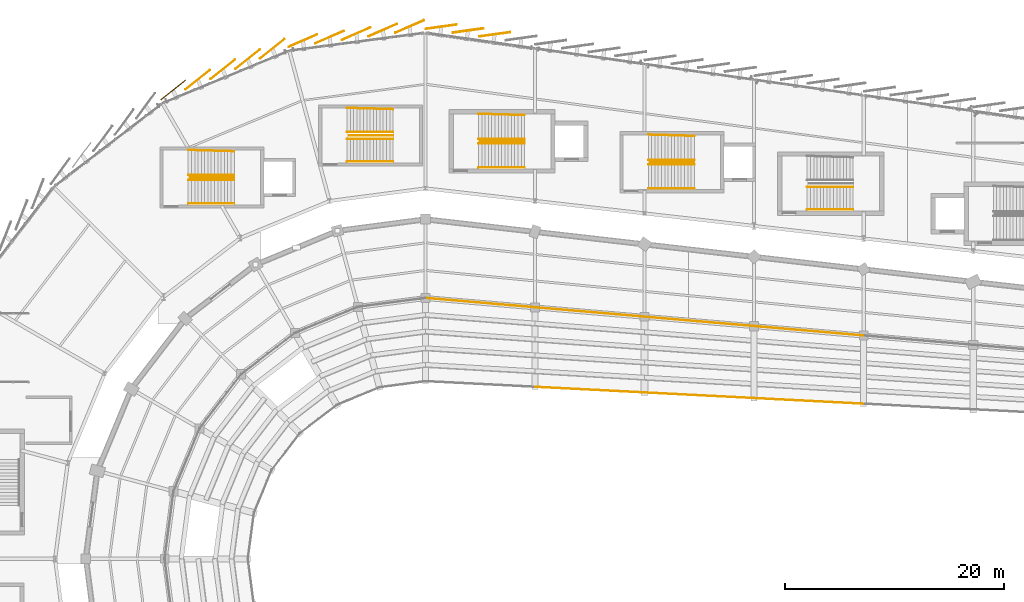
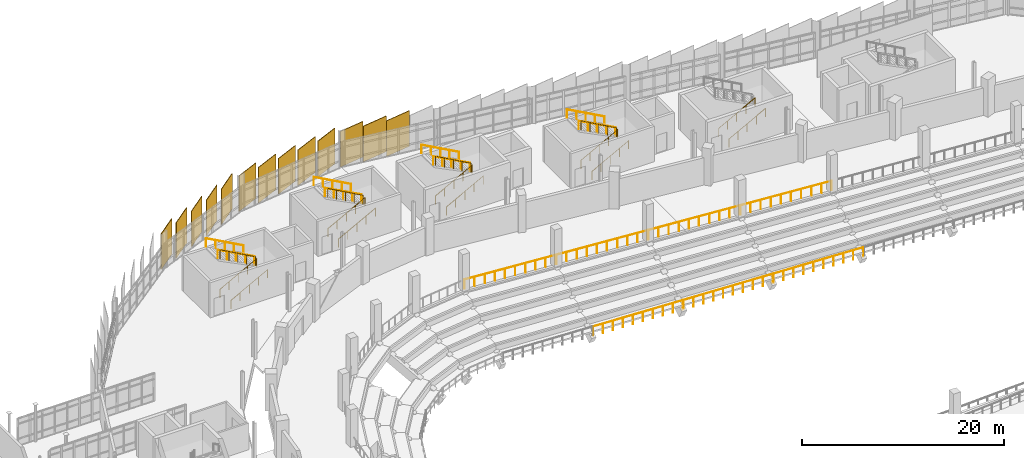
# One storey, part 128 of 134: 29 railings, 13 coverings.
"""IFC4 building model written with IfcOpenShell, lengths in metres."""

from ifc_helpers import new_model, si_unit, direction, frame, origin, origin_2d, place, context, subcontext, project, spatial, rectangle, circle, extrude, material, layer, layer_set, type_object, element, save


model = new_model("IFC4")

# Units and contexts
model_context = context("Model", 3, precision=1e-05, world=origin(), true_north=direction((0.0, 1.0)))
body_context = subcontext(model_context, "Body", "Model", "MODEL_VIEW")
ifc_project = project(units=[si_unit("LENGTHUNIT", "METRE"), si_unit("AREAUNIT", "SQUARE_METRE"), si_unit("VOLUMEUNIT", "CUBIC_METRE"), si_unit("PLANEANGLEUNIT", "RADIAN"), si_unit("MASSUNIT", "GRAM", prefix="KILO")], contexts=[model_context])

# Site, building, storey
site_placement = place(None, origin())
site = spatial("IfcSite", under=ifc_project, at=site_placement, CompositionType="ELEMENT")
building_placement = place(site_placement, origin())
building = spatial("IfcBuilding", under=site, at=building_placement, Name="Sohan Crest Arena", CompositionType="ELEMENT")
storey_placement = place(building_placement, frame((0.0, 0.0, 4.5)))
storey = spatial("IfcBuildingStorey", under=building, at=storey_placement, Name="L01", CompositionType="ELEMENT", Elevation=4.5)

# Railings
ifc_material_1 = material(Name="Powder-coated wrought steel balustrade", Category="steel")
railing_type_1 = type_object("IfcRailingType", Name="ARC-GRD-01", PredefinedType="GUARDRAIL", material=ifc_material_1)
for number, where, name in (
    (1, (80.530029296875, 112.800048828125, 2.25), "Stair well slot guard GRD-024"),
    (2, (107.030029296875, 116.10009765625, 2.25), "Stair well slot guard GRD-036"),
    (3, (122.530029296875, 114.199951171875, 2.25), "Stair well slot guard GRD-047"),
    (4, (95.030029296875, 116.639892578125, 2.25), "Stair well slot guard GRD-107"),
):
    element("IfcRailing", number, at=place(storey_placement, frame(where)), inside=storey, type_object=railing_type_1, Name=name, PredefinedType="GUARDRAIL", context=body_context, shape_type="SweptSolid", body=[
        extrude(circle(Radius=0.02392578125, at=origin_2d()), frame((0.0, 0.0, 1.076171875), z_axis=(-0.87313487534, 0.0, 0.487478706678), x_axis=(0.0, -1.0, 0.0)), (0.0, 0.0, 1.0), 4.615478515625),
        extrude(circle(Radius=0.02099609375, at=origin_2d()), origin(), (0.0, 0.0, 1.0), 1.052001953125),
        extrude(circle(Radius=0.02099609375, at=origin_2d()), frame((-1.007568359375, 0.0, 0.5625)), (0.0, 0.0, 1.0), 1.052001953125),
        extrude(circle(Radius=0.02099609375, at=origin_2d()), frame((-2.01513671875, 0.0, 1.125)), (0.0, 0.0, 1.0), 1.052001953125),
        extrude(circle(Radius=0.02099609375, at=origin_2d()), frame((-3.0224609375, 0.0, 1.6875)), (0.0, 0.0, 1.0), 1.052001953125),
        extrude(circle(Radius=0.02099609375, at=origin_2d()), frame((-4.030029296875, 0.0, 2.25)), (0.0, 0.0, 1.0), 1.052001953125),
    ])
ifc_material_2 = material(Name="Laminated glass and steel sightline guard", Category="steel")
railing_type_2 = type_object("IfcRailingType", Name="ARC-GRD-02", PredefinedType="GUARDRAIL", material=ifc_material_2)
for number, where, name in (
    (5, (137.9599609375, 92.14501953125, -4.25), "Courtside bowl crowd barrier GRD-153"),
    (6, (127.9599609375, 92.658935546875, -4.25), "Courtside bowl crowd barrier GRD-154"),
):
    element("IfcRailing", number, at=place(storey_placement, frame(where)), inside=storey, type_object=railing_type_2, Name=name, PredefinedType="GUARDRAIL", context=body_context, shape_type="SweptSolid", body=[
        extrude(circle(Radius=0.02392578125, at=origin_2d()), frame((0.0, 0.0, 1.1259765625), z_axis=(-0.998680982493, 0.051344865437, 0.0), x_axis=(-0.051344865437, -0.998680982493, 0.0)), (0.0, 0.0, 1.0), 9.93310546875),
        extrude(circle(Radius=0.02099609375, at=origin_2d()), origin(), (0.0, 0.0, 1.0), 1.101806640625),
        extrude(circle(Radius=0.02099609375, at=origin_2d()), frame((-1.102294921875, 0.056640625, 0.0)), (0.0, 0.0, 1.0), 1.101806640625),
        extrude(circle(Radius=0.02099609375, at=origin_2d()), frame((-2.204345703125, 0.11328125, 0.0)), (0.0, 0.0, 1.0), 1.101806640625),
        extrude(circle(Radius=0.02099609375, at=origin_2d()), frame((-3.306640625, 0.169921875, 0.0)), (0.0, 0.0, 1.0), 1.101806640625),
        extrude(circle(Radius=0.02099609375, at=origin_2d()), frame((-4.408935546875, 0.2265625, 0.0)), (0.0, 0.0, 1.0), 1.101806640625),
        extrude(circle(Radius=0.02099609375, at=origin_2d()), frame((-5.510986328125, 0.283447265625, 0.0)), (0.0, 0.0, 1.0), 1.101806640625),
        extrude(circle(Radius=0.02099609375, at=origin_2d()), frame((-6.61328125, 0.340087890625, 0.0)), (0.0, 0.0, 1.0), 1.101806640625),
        extrude(circle(Radius=0.02099609375, at=origin_2d()), frame((-7.715576171875, 0.396728515625, 0.0)), (0.0, 0.0, 1.0), 1.101806640625),
        extrude(circle(Radius=0.02099609375, at=origin_2d()), frame((-8.817626953125, 0.453369140625, 0.0)), (0.0, 0.0, 1.0), 1.101806640625),
        extrude(circle(Radius=0.02099609375, at=origin_2d()), frame((-9.919921875, 0.510009765625, 0.0)), (0.0, 0.0, 1.0), 1.101806640625),
    ])
railing_1_placement = place(storey_placement, frame((117.9599609375, 93.173095703125, -4.25)))
element("IfcRailing", 7, at=railing_1_placement, inside=storey, type_object=railing_type_2, Name="Courtside bowl crowd barrier GRD-155", PredefinedType="GUARDRAIL", context=body_context, shape_type="SweptSolid", body=[
    extrude(circle(Radius=0.02392578125, at=origin_2d()), frame((0.0, 0.0, 1.1259765625), z_axis=(-0.998675936407, 0.051442920233, 0.0), x_axis=(-0.051442920233, -0.998675936407, 0.0)), (0.0, 0.0, 1.0), 9.93310546875),
    extrude(circle(Radius=0.02099609375, at=origin_2d()), origin(), (0.0, 0.0, 1.0), 1.101806640625),
    extrude(circle(Radius=0.02099609375, at=origin_2d()), frame((-1.102294921875, 0.056884765625, 0.0)), (0.0, 0.0, 1.0), 1.101806640625),
    extrude(circle(Radius=0.02099609375, at=origin_2d()), frame((-2.204345703125, 0.113525390625, 0.0)), (0.0, 0.0, 1.0), 1.101806640625),
    extrude(circle(Radius=0.02099609375, at=origin_2d()), frame((-3.306640625, 0.17041015625, 0.0)), (0.0, 0.0, 1.0), 1.101806640625),
    extrude(circle(Radius=0.02099609375, at=origin_2d()), frame((-4.408935546875, 0.22705078125, 0.0)), (0.0, 0.0, 1.0), 1.101806640625),
    extrude(circle(Radius=0.02099609375, at=origin_2d()), frame((-5.510986328125, 0.283935546875, 0.0)), (0.0, 0.0, 1.0), 1.101806640625),
    extrude(circle(Radius=0.02099609375, at=origin_2d()), frame((-6.61328125, 0.340576171875, 0.0)), (0.0, 0.0, 1.0), 1.101806640625),
    extrude(circle(Radius=0.02099609375, at=origin_2d()), frame((-7.715576171875, 0.3974609375, 0.0)), (0.0, 0.0, 1.0), 1.101806640625),
    extrude(circle(Radius=0.02099609375, at=origin_2d()), frame((-8.817626953125, 0.4541015625, 0.0)), (0.0, 0.0, 1.0), 1.101806640625),
    extrude(circle(Radius=0.02099609375, at=origin_2d()), frame((-9.919921875, 0.510986328125, 0.0)), (0.0, 0.0, 1.0), 1.101806640625),
])
railing_2_placement = place(storey_placement, frame((137.9599609375, 98.3740234375, 0.0)))
element("IfcRailing", 8, at=railing_2_placement, inside=storey, type_object=railing_type_2, Name="Bowl gallery edge guard GRD-214", PredefinedType="GUARDRAIL", context=body_context, shape_type="SweptSolid", body=[
    extrude(circle(Radius=0.02392578125, at=origin_2d()), frame((0.0, 0.0, 1.1259765625), z_axis=(-0.996331491652, 0.085577793509, 0.0), x_axis=(-0.085577793509, -0.996331491652, 0.0)), (0.0, 0.0, 1.0), 9.95654296875),
    extrude(circle(Radius=0.02099609375, at=origin_2d()), origin(), (0.0, 0.0, 1.0), 1.101806640625),
    extrude(circle(Radius=0.02099609375, at=origin_2d()), frame((-1.102294921875, 0.0947265625, 0.0)), (0.0, 0.0, 1.0), 1.101806640625),
    extrude(circle(Radius=0.02099609375, at=origin_2d()), frame((-2.204345703125, 0.189453125, 0.0)), (0.0, 0.0, 1.0), 1.101806640625),
    extrude(circle(Radius=0.02099609375, at=origin_2d()), frame((-3.306640625, 0.283935546875, 0.0)), (0.0, 0.0, 1.0), 1.101806640625),
    extrude(circle(Radius=0.02099609375, at=origin_2d()), frame((-4.408935546875, 0.378662109375, 0.0)), (0.0, 0.0, 1.0), 1.101806640625),
    extrude(circle(Radius=0.02099609375, at=origin_2d()), frame((-5.510986328125, 0.473388671875, 0.0)), (0.0, 0.0, 1.0), 1.101806640625),
    extrude(circle(Radius=0.02099609375, at=origin_2d()), frame((-6.61328125, 0.568115234375, 0.0)), (0.0, 0.0, 1.0), 1.101806640625),
    extrude(circle(Radius=0.02099609375, at=origin_2d()), frame((-7.715576171875, 0.66259765625, 0.0)), (0.0, 0.0, 1.0), 1.101806640625),
    extrude(circle(Radius=0.02099609375, at=origin_2d()), frame((-8.817626953125, 0.75732421875, 0.0)), (0.0, 0.0, 1.0), 1.101806640625),
    extrude(circle(Radius=0.02099609375, at=origin_2d()), frame((-9.919921875, 0.85205078125, 0.0)), (0.0, 0.0, 1.0), 1.101806640625),
])
railing_3_placement = place(storey_placement, frame((127.9599609375, 99.23193359375, 0.0)))
element("IfcRailing", 9, at=railing_3_placement, inside=storey, type_object=railing_type_2, Name="Bowl gallery edge guard GRD-215", PredefinedType="GUARDRAIL", context=body_context, shape_type="SweptSolid", body=[
    extrude(circle(Radius=0.02392578125, at=origin_2d()), frame((0.0, 0.0, 1.1259765625), z_axis=(-0.996339849936, 0.085480427173, 0.0), x_axis=(-0.085480427173, -0.996339849936, 0.0)), (0.0, 0.0, 1.0), 9.956298828125),
    extrude(circle(Radius=0.02099609375, at=origin_2d()), origin(), (0.0, 0.0, 1.0), 1.101806640625),
    extrude(circle(Radius=0.02099609375, at=origin_2d()), frame((-1.102294921875, 0.094482421875, 0.0)), (0.0, 0.0, 1.0), 1.101806640625),
    extrude(circle(Radius=0.02099609375, at=origin_2d()), frame((-2.204345703125, 0.189208984375, 0.0)), (0.0, 0.0, 1.0), 1.101806640625),
    extrude(circle(Radius=0.02099609375, at=origin_2d()), frame((-3.306640625, 0.28369140625, 0.0)), (0.0, 0.0, 1.0), 1.101806640625),
    extrude(circle(Radius=0.02099609375, at=origin_2d()), frame((-4.408935546875, 0.378173828125, 0.0)), (0.0, 0.0, 1.0), 1.101806640625),
    extrude(circle(Radius=0.02099609375, at=origin_2d()), frame((-5.510986328125, 0.472900390625, 0.0)), (0.0, 0.0, 1.0), 1.101806640625),
    extrude(circle(Radius=0.02099609375, at=origin_2d()), frame((-6.61328125, 0.5673828125, 0.0)), (0.0, 0.0, 1.0), 1.101806640625),
    extrude(circle(Radius=0.02099609375, at=origin_2d()), frame((-7.715576171875, 0.661865234375, 0.0)), (0.0, 0.0, 1.0), 1.101806640625),
    extrude(circle(Radius=0.02099609375, at=origin_2d()), frame((-8.817626953125, 0.756591796875, 0.0)), (0.0, 0.0, 1.0), 1.101806640625),
    extrude(circle(Radius=0.02099609375, at=origin_2d()), frame((-9.919921875, 0.85107421875, 0.0)), (0.0, 0.0, 1.0), 1.101806640625),
])
railing_4_placement = place(storey_placement, frame((117.9599609375, 100.089111328125, 0.0)))
element("IfcRailing", 10, at=railing_4_placement, inside=storey, type_object=railing_type_2, Name="Bowl gallery edge guard GRD-216", PredefinedType="GUARDRAIL", context=body_context, shape_type="SweptSolid", body=[
    extrude(circle(Radius=0.02392578125, at=origin_2d()), frame((0.0, 0.0, 1.1259765625), z_axis=(-0.996341938042, 0.085456085206, 0.0), x_axis=(-0.085456085206, -0.996341938042, 0.0)), (0.0, 0.0, 1.0), 9.956298828125),
    extrude(circle(Radius=0.02099609375, at=origin_2d()), origin(), (0.0, 0.0, 1.0), 1.101806640625),
    extrude(circle(Radius=0.02099609375, at=origin_2d()), frame((-1.102294921875, 0.094482421875, 0.0)), (0.0, 0.0, 1.0), 1.101806640625),
    extrude(circle(Radius=0.02099609375, at=origin_2d()), frame((-2.204345703125, 0.18896484375, 0.0)), (0.0, 0.0, 1.0), 1.101806640625),
    extrude(circle(Radius=0.02099609375, at=origin_2d()), frame((-3.306640625, 0.28369140625, 0.0)), (0.0, 0.0, 1.0), 1.101806640625),
    extrude(circle(Radius=0.02099609375, at=origin_2d()), frame((-4.408935546875, 0.378173828125, 0.0)), (0.0, 0.0, 1.0), 1.101806640625),
    extrude(circle(Radius=0.02099609375, at=origin_2d()), frame((-5.510986328125, 0.47265625, 0.0)), (0.0, 0.0, 1.0), 1.101806640625),
    extrude(circle(Radius=0.02099609375, at=origin_2d()), frame((-6.61328125, 0.567138671875, 0.0)), (0.0, 0.0, 1.0), 1.101806640625),
    extrude(circle(Radius=0.02099609375, at=origin_2d()), frame((-7.715576171875, 0.661865234375, 0.0)), (0.0, 0.0, 1.0), 1.101806640625),
    extrude(circle(Radius=0.02099609375, at=origin_2d()), frame((-8.817626953125, 0.75634765625, 0.0)), (0.0, 0.0, 1.0), 1.101806640625),
    extrude(circle(Radius=0.02099609375, at=origin_2d()), frame((-9.919921875, 0.850830078125, 0.0)), (0.0, 0.0, 1.0), 1.101806640625),
])
railing_5_placement = place(storey_placement, frame((107.9599609375, 100.946044921875, 0.0)))
element("IfcRailing", 11, at=railing_5_placement, inside=storey, type_object=railing_type_2, Name="Bowl gallery edge guard GRD-217", PredefinedType="GUARDRAIL", context=body_context, shape_type="SweptSolid", body=[
    extrude(circle(Radius=0.02392578125, at=origin_2d()), frame((0.0, 0.0, 1.1259765625), z_axis=(-0.996339849936, 0.085480427173, 0.0), x_axis=(-0.085480427173, -0.996339849936, 0.0)), (0.0, 0.0, 1.0), 9.956298828125),
    extrude(circle(Radius=0.02099609375, at=origin_2d()), origin(), (0.0, 0.0, 1.0), 1.101806640625),
    extrude(circle(Radius=0.02099609375, at=origin_2d()), frame((-1.102294921875, 0.094482421875, 0.0)), (0.0, 0.0, 1.0), 1.101806640625),
    extrude(circle(Radius=0.02099609375, at=origin_2d()), frame((-2.204345703125, 0.189208984375, 0.0)), (0.0, 0.0, 1.0), 1.101806640625),
    extrude(circle(Radius=0.02099609375, at=origin_2d()), frame((-3.306640625, 0.28369140625, 0.0)), (0.0, 0.0, 1.0), 1.101806640625),
    extrude(circle(Radius=0.02099609375, at=origin_2d()), frame((-4.408935546875, 0.378173828125, 0.0)), (0.0, 0.0, 1.0), 1.101806640625),
    extrude(circle(Radius=0.02099609375, at=origin_2d()), frame((-5.510986328125, 0.472900390625, 0.0)), (0.0, 0.0, 1.0), 1.101806640625),
    extrude(circle(Radius=0.02099609375, at=origin_2d()), frame((-6.61328125, 0.5673828125, 0.0)), (0.0, 0.0, 1.0), 1.101806640625),
    extrude(circle(Radius=0.02099609375, at=origin_2d()), frame((-7.715576171875, 0.661865234375, 0.0)), (0.0, 0.0, 1.0), 1.101806640625),
    extrude(circle(Radius=0.02099609375, at=origin_2d()), frame((-8.817626953125, 0.756591796875, 0.0)), (0.0, 0.0, 1.0), 1.101806640625),
    extrude(circle(Radius=0.02099609375, at=origin_2d()), frame((-9.919921875, 0.85107421875, 0.0)), (0.0, 0.0, 1.0), 1.101806640625),
])
ifc_material_3 = material(Name="Brushed stainless steel stair handrail", Category="steel")
railing_type_3 = type_object("IfcRailingType", Name="ARC-HR-01", PredefinedType="HANDRAIL", material=ifc_material_3)
for number, where, name in (
    (12, (76.35009765625, 110.409912109375, 0.0), "Stair pitch handrail HR-081"),
    (13, (76.35009765625, 112.590087890625, 0.0), "Stair pitch handrail HR-082"),
):
    element("IfcRailing", number, at=place(storey_placement, frame(where)), inside=storey, type_object=railing_type_3, Name=name, PredefinedType="HANDRAIL", context=body_context, shape_type="SweptSolid", body=[
        extrude(circle(Radius=0.02392578125, at=origin_2d()), frame((0.0, 0.0, 0.97607421875), z_axis=(0.881477684796, 0.0, 0.472225678258), x_axis=(0.0, 1.0, 0.0)), (0.0, 0.0, 1.0), 4.7646484375),
        extrude(circle(Radius=0.02099609375, at=origin_2d()), origin(), (0.0, 0.0, 1.0), 0.951904296875),
        extrude(circle(Radius=0.02099609375, at=origin_2d()), frame((1.050048828125, 0.0, 0.5625)), (0.0, 0.0, 1.0), 0.951904296875),
        extrude(circle(Radius=0.02099609375, at=origin_2d()), frame((2.10009765625, 0.0, 1.125)), (0.0, 0.0, 1.0), 0.951904296875),
        extrude(circle(Radius=0.02099609375, at=origin_2d()), frame((3.14990234375, 0.0, 1.6875)), (0.0, 0.0, 1.0), 0.951904296875),
        extrude(circle(Radius=0.02099609375, at=origin_2d()), frame((4.199951171875, 0.0, 2.25)), (0.0, 0.0, 1.0), 0.951904296875),
    ])
railing_6_placement = place(storey_placement, frame((80.550048828125, 113.010009765625, 2.25)))
element("IfcRailing", 14, at=railing_6_placement, inside=storey, type_object=railing_type_3, Name="Stair pitch handrail HR-083", PredefinedType="HANDRAIL", context=body_context, shape_type="SweptSolid", body=[
    extrude(circle(Radius=0.02392578125, at=origin_2d()), frame((0.0, 0.0, 0.97607421875), z_axis=(-0.881477684796, 0.0, 0.472225678258), x_axis=(0.0, -1.0, 0.0)), (0.0, 0.0, 1.0), 4.7646484375),
    extrude(circle(Radius=0.02099609375, at=origin_2d()), origin(), (0.0, 0.0, 1.0), 0.951904296875),
    extrude(circle(Radius=0.02099609375, at=origin_2d()), frame((-1.050048828125, 0.0, 0.5625)), (0.0, 0.0, 1.0), 0.951904296875),
    extrude(circle(Radius=0.02099609375, at=origin_2d()), frame((-2.10009765625, 0.0, 1.125)), (0.0, 0.0, 1.0), 0.951904296875),
    extrude(circle(Radius=0.02099609375, at=origin_2d()), frame((-3.14990234375, 0.0, 1.6875)), (0.0, 0.0, 1.0), 0.951904296875),
    extrude(circle(Radius=0.02099609375, at=origin_2d()), frame((-4.199951171875, 0.0, 2.25)), (0.0, 0.0, 1.0), 0.951904296875),
])
railing_7_placement = place(storey_placement, frame((80.550048828125, 115.18994140625, 2.25)))
element("IfcRailing", 15, at=railing_7_placement, inside=storey, type_object=railing_type_3, Name="Stair pitch handrail HR-084", PredefinedType="HANDRAIL", context=body_context, shape_type="SweptSolid", body=[
    extrude(circle(Radius=0.02392578125, at=origin_2d()), frame((0.0, 0.0, 0.97607421875), z_axis=(-0.881197710057, 0.025201957411, 0.472075690047), x_axis=(-0.028587973606, -0.999591280357, 0.0)), (0.0, 0.0, 1.0), 4.76611328125),
    extrude(circle(Radius=0.02099609375, at=origin_2d()), origin(), (0.0, 0.0, 1.0), 0.951904296875),
    extrude(circle(Radius=0.02099609375, at=origin_2d()), frame((-1.050048828125, 0.030029296875, 0.5625)), (0.0, 0.0, 1.0), 0.951904296875),
    extrude(circle(Radius=0.02099609375, at=origin_2d()), frame((-2.10009765625, 0.06005859375, 1.125)), (0.0, 0.0, 1.0), 0.951904296875),
    extrude(circle(Radius=0.02099609375, at=origin_2d()), frame((-3.14990234375, 0.090087890625, 1.6875)), (0.0, 0.0, 1.0), 0.951904296875),
    extrude(circle(Radius=0.02099609375, at=origin_2d()), frame((-4.199951171875, 0.1201171875, 2.25)), (0.0, 0.0, 1.0), 0.951904296875),
])
for number, where, name in (
    (16, (102.85009765625, 113.7099609375, 0.0), "Stair pitch handrail HR-121"),
    (17, (102.85009765625, 115.889892578125, 0.0), "Stair pitch handrail HR-122"),
):
    element("IfcRailing", number, at=place(storey_placement, frame(where)), inside=storey, type_object=railing_type_3, Name=name, PredefinedType="HANDRAIL", context=body_context, shape_type="SweptSolid", body=[
        extrude(circle(Radius=0.02392578125, at=origin_2d()), frame((0.0, 0.0, 0.97607421875), z_axis=(0.881477684796, 0.0, 0.472225678258), x_axis=(0.0, 1.0, 0.0)), (0.0, 0.0, 1.0), 4.7646484375),
        extrude(circle(Radius=0.02099609375, at=origin_2d()), origin(), (0.0, 0.0, 1.0), 0.951904296875),
        extrude(circle(Radius=0.02099609375, at=origin_2d()), frame((1.050048828125, 0.0, 0.5625)), (0.0, 0.0, 1.0), 0.951904296875),
        extrude(circle(Radius=0.02099609375, at=origin_2d()), frame((2.10009765625, 0.0, 1.125)), (0.0, 0.0, 1.0), 0.951904296875),
        extrude(circle(Radius=0.02099609375, at=origin_2d()), frame((3.14990234375, 0.0, 1.6875)), (0.0, 0.0, 1.0), 0.951904296875),
        extrude(circle(Radius=0.02099609375, at=origin_2d()), frame((4.199951171875, 0.0, 2.25)), (0.0, 0.0, 1.0), 0.951904296875),
    ])
railing_8_placement = place(storey_placement, frame((107.050048828125, 116.31005859375, 2.25)))
element("IfcRailing", 18, at=railing_8_placement, inside=storey, type_object=railing_type_3, Name="Stair pitch handrail HR-123", PredefinedType="HANDRAIL", context=body_context, shape_type="SweptSolid", body=[
    extrude(circle(Radius=0.02392578125, at=origin_2d()), frame((0.0, 0.0, 0.97607421875), z_axis=(-0.881477684796, 0.0, 0.472225678258), x_axis=(0.0, -1.0, 0.0)), (0.0, 0.0, 1.0), 4.7646484375),
    extrude(circle(Radius=0.02099609375, at=origin_2d()), origin(), (0.0, 0.0, 1.0), 0.951904296875),
    extrude(circle(Radius=0.02099609375, at=origin_2d()), frame((-1.050048828125, 0.0, 0.5625)), (0.0, 0.0, 1.0), 0.951904296875),
    extrude(circle(Radius=0.02099609375, at=origin_2d()), frame((-2.10009765625, 0.0, 1.125)), (0.0, 0.0, 1.0), 0.951904296875),
    extrude(circle(Radius=0.02099609375, at=origin_2d()), frame((-3.14990234375, 0.0, 1.6875)), (0.0, 0.0, 1.0), 0.951904296875),
    extrude(circle(Radius=0.02099609375, at=origin_2d()), frame((-4.199951171875, 0.0, 2.25)), (0.0, 0.0, 1.0), 0.951904296875),
])
railing_9_placement = place(storey_placement, frame((107.050048828125, 118.489990234375, 2.25)))
element("IfcRailing", 19, at=railing_9_placement, inside=storey, type_object=railing_type_3, Name="Stair pitch handrail HR-124", PredefinedType="HANDRAIL", context=body_context, shape_type="SweptSolid", body=[
    extrude(circle(Radius=0.02392578125, at=origin_2d()), frame((0.0, 0.0, 0.97607421875), z_axis=(-0.881197710057, 0.025201957411, 0.472075690047), x_axis=(-0.028587973606, -0.999591280357, 0.0)), (0.0, 0.0, 1.0), 4.76611328125),
    extrude(circle(Radius=0.02099609375, at=origin_2d()), origin(), (0.0, 0.0, 1.0), 0.951904296875),
    extrude(circle(Radius=0.02099609375, at=origin_2d()), frame((-1.050048828125, 0.030029296875, 0.5625)), (0.0, 0.0, 1.0), 0.951904296875),
    extrude(circle(Radius=0.02099609375, at=origin_2d()), frame((-2.10009765625, 0.06005859375, 1.125)), (0.0, 0.0, 1.0), 0.951904296875),
    extrude(circle(Radius=0.02099609375, at=origin_2d()), frame((-3.14990234375, 0.090087890625, 1.6875)), (0.0, 0.0, 1.0), 0.951904296875),
    extrude(circle(Radius=0.02099609375, at=origin_2d()), frame((-4.199951171875, 0.1201171875, 2.25)), (0.0, 0.0, 1.0), 0.951904296875),
])
for number, where, name in (
    (20, (118.35009765625, 111.81005859375, 0.0), "Stair pitch handrail HR-157"),
    (21, (118.35009765625, 113.989990234375, 0.0), "Stair pitch handrail HR-158"),
):
    element("IfcRailing", number, at=place(storey_placement, frame(where)), inside=storey, type_object=railing_type_3, Name=name, PredefinedType="HANDRAIL", context=body_context, shape_type="SweptSolid", body=[
        extrude(circle(Radius=0.02392578125, at=origin_2d()), frame((0.0, 0.0, 0.97607421875), z_axis=(0.881477684796, 0.0, 0.472225678258), x_axis=(0.0, 1.0, 0.0)), (0.0, 0.0, 1.0), 4.7646484375),
        extrude(circle(Radius=0.02099609375, at=origin_2d()), origin(), (0.0, 0.0, 1.0), 0.951904296875),
        extrude(circle(Radius=0.02099609375, at=origin_2d()), frame((1.050048828125, 0.0, 0.5625)), (0.0, 0.0, 1.0), 0.951904296875),
        extrude(circle(Radius=0.02099609375, at=origin_2d()), frame((2.10009765625, 0.0, 1.125)), (0.0, 0.0, 1.0), 0.951904296875),
        extrude(circle(Radius=0.02099609375, at=origin_2d()), frame((3.14990234375, 0.0, 1.6875)), (0.0, 0.0, 1.0), 0.951904296875),
        extrude(circle(Radius=0.02099609375, at=origin_2d()), frame((4.199951171875, 0.0, 2.25)), (0.0, 0.0, 1.0), 0.951904296875),
    ])
railing_10_placement = place(storey_placement, frame((122.550048828125, 114.409912109375, 2.25)))
element("IfcRailing", 22, at=railing_10_placement, inside=storey, type_object=railing_type_3, Name="Stair pitch handrail HR-159", PredefinedType="HANDRAIL", context=body_context, shape_type="SweptSolid", body=[
    extrude(circle(Radius=0.02392578125, at=origin_2d()), frame((0.0, 0.0, 0.97607421875), z_axis=(-0.881477684796, 0.0, 0.472225678258), x_axis=(0.0, -1.0, 0.0)), (0.0, 0.0, 1.0), 4.7646484375),
    extrude(circle(Radius=0.02099609375, at=origin_2d()), origin(), (0.0, 0.0, 1.0), 0.951904296875),
    extrude(circle(Radius=0.02099609375, at=origin_2d()), frame((-1.050048828125, 0.0, 0.5625)), (0.0, 0.0, 1.0), 0.951904296875),
    extrude(circle(Radius=0.02099609375, at=origin_2d()), frame((-2.10009765625, 0.0, 1.125)), (0.0, 0.0, 1.0), 0.951904296875),
    extrude(circle(Radius=0.02099609375, at=origin_2d()), frame((-3.14990234375, 0.0, 1.6875)), (0.0, 0.0, 1.0), 0.951904296875),
    extrude(circle(Radius=0.02099609375, at=origin_2d()), frame((-4.199951171875, 0.0, 2.25)), (0.0, 0.0, 1.0), 0.951904296875),
])
railing_11_placement = place(storey_placement, frame((122.550048828125, 116.590087890625, 2.25)))
element("IfcRailing", 23, at=railing_11_placement, inside=storey, type_object=railing_type_3, Name="Stair pitch handrail HR-160", PredefinedType="HANDRAIL", context=body_context, shape_type="SweptSolid", body=[
    extrude(circle(Radius=0.02392578125, at=origin_2d()), frame((0.0, 0.0, 0.97607421875), z_axis=(-0.881198846469, 0.025150766356, 0.472076298847), x_axis=(-0.028529915312, -0.999592939117, 0.0)), (0.0, 0.0, 1.0), 4.76611328125),
    extrude(circle(Radius=0.02099609375, at=origin_2d()), origin(), (0.0, 0.0, 1.0), 0.951904296875),
    extrude(circle(Radius=0.02099609375, at=origin_2d()), frame((-1.050048828125, 0.030029296875, 0.5625)), (0.0, 0.0, 1.0), 0.951904296875),
    extrude(circle(Radius=0.02099609375, at=origin_2d()), frame((-2.10009765625, 0.06005859375, 1.125)), (0.0, 0.0, 1.0), 0.951904296875),
    extrude(circle(Radius=0.02099609375, at=origin_2d()), frame((-3.14990234375, 0.08984375, 1.6875)), (0.0, 0.0, 1.0), 0.951904296875),
    extrude(circle(Radius=0.02099609375, at=origin_2d()), frame((-4.199951171875, 0.119873046875, 2.25)), (0.0, 0.0, 1.0), 0.951904296875),
])
for number, where, name in (
    (24, (90.85009765625, 114.25, 0.0), "Stair pitch handrail HR-349"),
    (25, (90.85009765625, 116.330078125, 0.0), "Stair pitch handrail HR-350"),
):
    element("IfcRailing", number, at=place(storey_placement, frame(where)), inside=storey, type_object=railing_type_3, Name=name, PredefinedType="HANDRAIL", context=body_context, shape_type="SweptSolid", body=[
        extrude(circle(Radius=0.02392578125, at=origin_2d()), frame((0.0, 0.0, 0.97607421875), z_axis=(0.881477684796, 0.0, 0.472225678258), x_axis=(0.0, 1.0, 0.0)), (0.0, 0.0, 1.0), 4.7646484375),
        extrude(circle(Radius=0.02099609375, at=origin_2d()), origin(), (0.0, 0.0, 1.0), 0.951904296875),
        extrude(circle(Radius=0.02099609375, at=origin_2d()), frame((1.050048828125, 0.0, 0.5625)), (0.0, 0.0, 1.0), 0.951904296875),
        extrude(circle(Radius=0.02099609375, at=origin_2d()), frame((2.10009765625, 0.0, 1.125)), (0.0, 0.0, 1.0), 0.951904296875),
        extrude(circle(Radius=0.02099609375, at=origin_2d()), frame((3.14990234375, 0.0, 1.6875)), (0.0, 0.0, 1.0), 0.951904296875),
        extrude(circle(Radius=0.02099609375, at=origin_2d()), frame((4.199951171875, 0.0, 2.25)), (0.0, 0.0, 1.0), 0.951904296875),
    ])
railing_12_placement = place(storey_placement, frame((95.050048828125, 116.949951171875, 2.25)))
element("IfcRailing", 26, at=railing_12_placement, inside=storey, type_object=railing_type_3, Name="Stair pitch handrail HR-351", PredefinedType="HANDRAIL", context=body_context, shape_type="SweptSolid", body=[
    extrude(circle(Radius=0.02392578125, at=origin_2d()), frame((0.0, 0.0, 0.97607421875), z_axis=(-0.881477684796, 0.0, 0.472225678258), x_axis=(0.0, -1.0, 0.0)), (0.0, 0.0, 1.0), 4.7646484375),
    extrude(circle(Radius=0.02099609375, at=origin_2d()), origin(), (0.0, 0.0, 1.0), 0.951904296875),
    extrude(circle(Radius=0.02099609375, at=origin_2d()), frame((-1.050048828125, 0.0, 0.5625)), (0.0, 0.0, 1.0), 0.951904296875),
    extrude(circle(Radius=0.02099609375, at=origin_2d()), frame((-2.10009765625, 0.0, 1.125)), (0.0, 0.0, 1.0), 0.951904296875),
    extrude(circle(Radius=0.02099609375, at=origin_2d()), frame((-3.14990234375, 0.0, 1.6875)), (0.0, 0.0, 1.0), 0.951904296875),
    extrude(circle(Radius=0.02099609375, at=origin_2d()), frame((-4.199951171875, 0.0, 2.25)), (0.0, 0.0, 1.0), 0.951904296875),
])
railing_13_placement = place(storey_placement, frame((95.050048828125, 119.030029296875, 2.25)))
element("IfcRailing", 27, at=railing_13_placement, inside=storey, type_object=railing_type_3, Name="Stair pitch handrail HR-352", PredefinedType="HANDRAIL", context=body_context, shape_type="SweptSolid", body=[
    extrude(circle(Radius=0.02392578125, at=origin_2d()), frame((0.0, 0.0, 0.97607421875), z_axis=(-0.881198846469, 0.025150766356, 0.472076298847), x_axis=(-0.028529915312, -0.999592939117, 0.0)), (0.0, 0.0, 1.0), 4.76611328125),
    extrude(circle(Radius=0.02099609375, at=origin_2d()), origin(), (0.0, 0.0, 1.0), 0.951904296875),
    extrude(circle(Radius=0.02099609375, at=origin_2d()), frame((-1.050048828125, 0.030029296875, 0.5625)), (0.0, 0.0, 1.0), 0.951904296875),
    extrude(circle(Radius=0.02099609375, at=origin_2d()), frame((-2.10009765625, 0.06005859375, 1.125)), (0.0, 0.0, 1.0), 0.951904296875),
    extrude(circle(Radius=0.02099609375, at=origin_2d()), frame((-3.14990234375, 0.08984375, 1.6875)), (0.0, 0.0, 1.0), 0.951904296875),
    extrude(circle(Radius=0.02099609375, at=origin_2d()), frame((-4.199951171875, 0.119873046875, 2.25)), (0.0, 0.0, 1.0), 0.951904296875),
])
for number, where, name in (
    (28, (132.85009765625, 109.860107421875, 0.0), "Stair pitch handrail HR-389"),
    (29, (132.85009765625, 111.93994140625, 0.0), "Stair pitch handrail HR-390"),
):
    element("IfcRailing", number, at=place(storey_placement, frame(where)), inside=storey, type_object=railing_type_3, Name=name, PredefinedType="HANDRAIL", context=body_context, shape_type="SweptSolid", body=[
        extrude(circle(Radius=0.02392578125, at=origin_2d()), frame((0.0, 0.0, 0.97607421875), z_axis=(0.881477684796, 0.0, 0.472225678258), x_axis=(0.0, 1.0, 0.0)), (0.0, 0.0, 1.0), 4.7646484375),
        extrude(circle(Radius=0.02099609375, at=origin_2d()), origin(), (0.0, 0.0, 1.0), 0.951904296875),
        extrude(circle(Radius=0.02099609375, at=origin_2d()), frame((1.050048828125, 0.0, 0.5625)), (0.0, 0.0, 1.0), 0.951904296875),
        extrude(circle(Radius=0.02099609375, at=origin_2d()), frame((2.10009765625, 0.0, 1.125)), (0.0, 0.0, 1.0), 0.951904296875),
        extrude(circle(Radius=0.02099609375, at=origin_2d()), frame((3.14990234375, 0.0, 1.6875)), (0.0, 0.0, 1.0), 0.951904296875),
        extrude(circle(Radius=0.02099609375, at=origin_2d()), frame((4.199951171875, 0.0, 2.25)), (0.0, 0.0, 1.0), 0.951904296875),
    ])

# Coverings
ifc_material_4 = material(Name="Glazed ivory trencadis ceramic cladding", Category="masonry")
ifc_layer_1 = layer(ifc_material_4, 0.06494140625, Name="Glazed ivory trencadis ceramic cladding")
ifc_layer_set_1 = layer_set([ifc_layer_1], Name="Glazed ivory trencadis ceramic cladding")
covering_type_1 = type_object("IfcCoveringType", Name="COV-SC-IV", PredefinedType="CLADDING", material=ifc_layer_set_1)
for number, where, z_axis, x_axis, name in (
    (30, (94.1220703125, 126.256103515625, -0.2001953125), (0.0, 0.0, 1.0), (-0.917060074385, -0.398749068925, 0.0), "Rotated trencadis ceramic scale panel SC-0002"),
    (31, (91.68896484375, 125.93505859375, -0.2001953125), (0.0, 0.0, 1.0), (-0.917060074385, -0.398749068925, 0.0), "Rotated trencadis ceramic scale panel SC-0003"),
    (32, (89.256103515625, 125.614990234375, -0.2001953125), (0.0, 0.0, 1.0), (-0.917060074385, -0.398749068925, 0.0), "Rotated trencadis ceramic scale panel SC-0004"),
    (33, (86.822998046875, 125.294921875, -0.2001953125), (0.0, 0.0, 1.0), (-0.917060074385, -0.398749068925, 0.0), "Rotated trencadis ceramic scale panel SC-0005"),
    (34, (84.032958984375, 124.547119140625, -0.2001953125), (0.0, 0.0, 1.0), (-0.782608156852, -0.622514636638, 0.0), "Rotated trencadis ceramic scale panel SC-0006"),
    (35, (81.764892578125, 123.60791015625, -0.2001953125), (0.0, 0.0, 1.0), (-0.782608156852, -0.622514636638, 0.0), "Rotated trencadis ceramic scale panel SC-0007"),
    (36, (79.498046875, 122.6689453125, -0.2001953125), (0.0, 0.0, 1.0), (-0.782608156852, -0.622514636638, 0.0), "Rotated trencadis ceramic scale panel SC-0008"),
    (37, (77.22998046875, 121.72998046875, -0.2001953125), (0.0, 0.0, 1.0), (-0.782608156852, -0.622514636638, 0.0), "Rotated trencadis ceramic scale panel SC-0009"),
    (38, (104.324951171875, 125.864013671875, -0.2001953125), (0.0, 0.0, 1.0), (-0.990509463238, -0.137444546037, 0.0), "Rotated trencadis ceramic scale panel SC-0128"),
    (39, (99.4541015625, 126.56005859375, -0.2001953125), (0.0, 0.0, 1.0), (-0.990509463238, -0.137444546037, 0.0), "Rotated trencadis ceramic scale panel SC-0130"),
):
    element("IfcCovering", number, at=place(storey_placement, frame(where, z_axis=z_axis, x_axis=x_axis)), inside=storey, type_object=covering_type_1, Name=name, PredefinedType="CLADDING", context=body_context, shape_type="SweptSolid", body=[
        extrude(rectangle(XDim=2.85009765625, YDim=0.06494140625, at=origin_2d()), origin(), (0.0, 0.0, 1.0), 4.300048828125),
    ])
ifc_material_5 = material(Name="Glazed terracotta trencadis ceramic cladding", Category="masonry")
ifc_layer_2 = layer(ifc_material_5, 0.074951171875, Name="Glazed terracotta trencadis ceramic cladding")
ifc_layer_set_2 = layer_set([ifc_layer_2], Name="Glazed terracotta trencadis ceramic cladding")
covering_type_2 = type_object("IfcCoveringType", Name="COV-SC-TC", PredefinedType="CLADDING", material=ifc_layer_set_2)
for number, where, z_axis, x_axis, name in (
    (40, (96.554931640625, 126.575927734375, -0.2001953125), (0.0, 0.0, 1.0), (-0.917060074385, -0.398749068925, 0.0), "Rotated trencadis ceramic scale panel SC-0001"),
    (41, (74.962890625, 120.791015625, -0.2001953125), (0.0, 0.0, 1.0), (-0.782608156852, -0.622514636638, 0.0), "Rotated trencadis ceramic scale panel SC-0010"),
    (42, (101.889892578125, 126.2119140625, -0.2001953125), (0.0, 0.0, 1.0), (-0.990509463238, -0.137444546037, 0.0), "Rotated trencadis ceramic scale panel SC-0129"),
):
    element("IfcCovering", number, at=place(storey_placement, frame(where, z_axis=z_axis, x_axis=x_axis)), inside=storey, type_object=covering_type_2, Name=name, PredefinedType="CLADDING", context=body_context, shape_type="SweptSolid", body=[
        extrude(rectangle(XDim=2.85009765625, YDim=0.074951171875, at=origin_2d()), origin(), (0.0, 0.0, 1.0), 4.300048828125),
    ])

save(model, "model.ifc")
